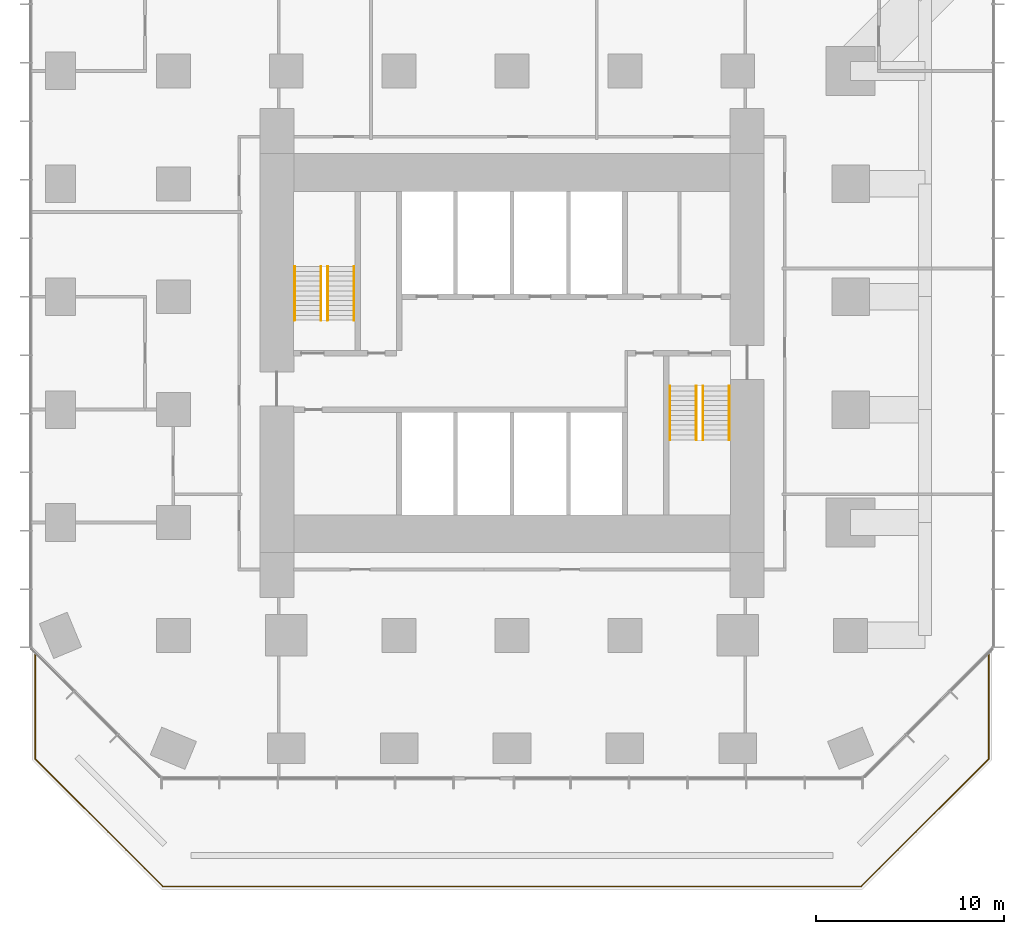
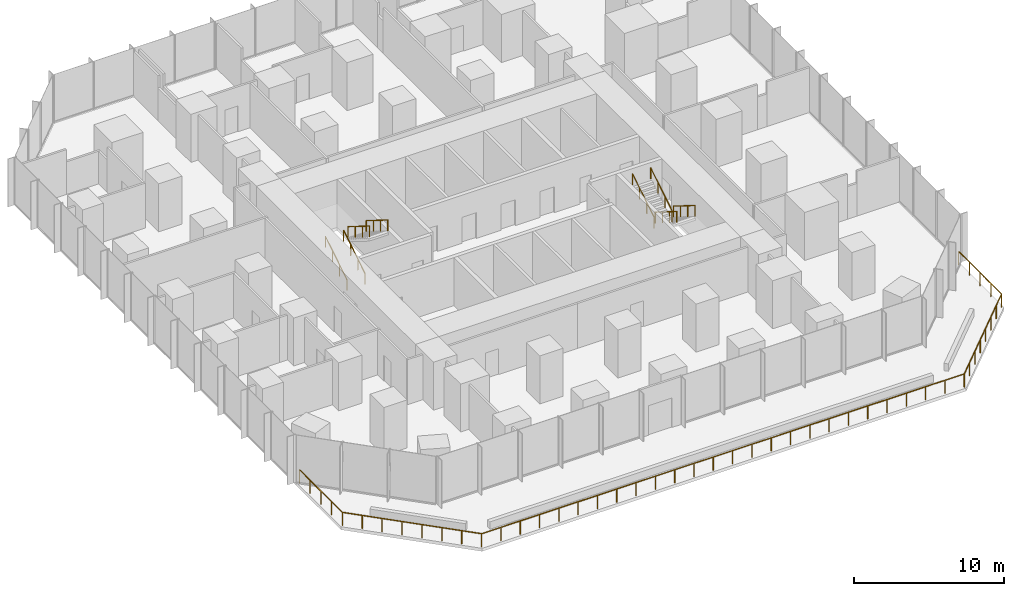
# One storey, part 12 of 12: 9 railings.
"""IFC4 building model written with IfcOpenShell, lengths in metres."""

from ifc_helpers import new_model, si_unit, direction, frame, origin, origin_2d, place, context, subcontext, project, spatial, circle, extrude, material, type_object, element, save


model = new_model("IFC4")

# Units and contexts
model_context = context("Model", 3, precision=1e-05, world=origin(), true_north=direction((0.0, 1.0)))
body_context = subcontext(model_context, "Body", "Model", "MODEL_VIEW")
ifc_project = project(units=[si_unit("LENGTHUNIT", "METRE"), si_unit("AREAUNIT", "SQUARE_METRE"), si_unit("VOLUMEUNIT", "CUBIC_METRE"), si_unit("PLANEANGLEUNIT", "RADIAN"), si_unit("MASSUNIT", "GRAM", prefix="KILO")], contexts=[model_context])

# Site, building, storey
site_placement = place(None, origin())
site = spatial("IfcSite", under=ifc_project, at=site_placement, CompositionType="ELEMENT")
building_placement = place(site_placement, origin())
building = spatial("IfcBuilding", under=site, at=building_placement, Name="Highveld Stack Headquarters", CompositionType="ELEMENT")
storey_placement = place(building_placement, frame((0.0, 0.0, 65.0)))
storey = spatial("IfcBuildingStorey", under=building, at=storey_placement, Name="L15", CompositionType="ELEMENT", Elevation=65.0)

# Railings
ifc_material_1 = material(Name="Stainless steel handrail", Category="steel")
railing_type_1 = type_object("IfcRailingType", Name="STAIR HANDRAIL HR1 900", PredefinedType="HANDRAIL", material=ifc_material_1)
for number, where, name in (
    (1, (-5.550048828125, 4.75, 0.16259765625), "Handrail S1 L15 flight 1"),
    (2, (-4.14990234375, 4.75, 0.16259765625), "Handrail S1 L15 flight 1"),
):
    element("IfcRailing", number, at=place(storey_placement, frame(where)), inside=storey, type_object=railing_type_1, Name=name, PredefinedType="HANDRAIL", context=body_context, shape_type="SweptSolid", body=[
        extrude(circle(Radius=0.02392578125, at=origin_2d()), frame((0.0, 0.0, 0.8759765625), z_axis=(0.0, 0.848026770018, 0.529953391661), x_axis=(-1.0, 0.0, 0.0)), (0.0, 0.0, 1.0), 3.37255859375),
        extrude(circle(Radius=0.02099609375, at=origin_2d()), origin(), (0.0, 0.0, 1.0), 0.851806640625),
        extrude(circle(Radius=0.02099609375, at=origin_2d()), frame((0.0, 0.953369140625, 0.595703125)), (0.0, 0.0, 1.0), 0.851806640625),
        extrude(circle(Radius=0.02099609375, at=origin_2d()), frame((0.0, 1.90673828125, 1.191650390625)), (0.0, 0.0, 1.0), 0.851806640625),
        extrude(circle(Radius=0.02099609375, at=origin_2d()), frame((0.0, 2.860107421875, 1.787353515625)), (0.0, 0.0, 1.0), 0.851806640625),
    ])
for number, where, name in (
    (3, (-3.800048828125, 7.610107421875, 2.112548828125), "Handrail S1 L15 flight 2"),
    (4, (-2.39990234375, 7.610107421875, 2.112548828125), "Handrail S1 L15 flight 2"),
    (5, (16.14990234375, 1.25, 0.16259765625), "Handrail S2 L15 flight 1"),
    (6, (17.550048828125, 1.25, 0.16259765625), "Handrail S2 L15 flight 1"),
):
    element("IfcRailing", number, at=place(storey_placement, frame(where)), inside=storey, type_object=railing_type_1, Name=name, PredefinedType="HANDRAIL", context=body_context, shape_type="SweptSolid", body=[
        extrude(circle(Radius=0.02392578125, at=origin_2d()), frame((0.0, 0.0, 0.8759765625), z_axis=(0.0, -0.848026770018, 0.529953391661), x_axis=(1.0, 0.0, 0.0)), (0.0, 0.0, 1.0), 3.37255859375),
        extrude(circle(Radius=0.02099609375, at=origin_2d()), origin(), (0.0, 0.0, 1.0), 0.851806640625),
        extrude(circle(Radius=0.02099609375, at=origin_2d()), frame((0.0, -0.953369140625, 0.595703125)), (0.0, 0.0, 1.0), 0.851806640625),
        extrude(circle(Radius=0.02099609375, at=origin_2d()), frame((0.0, -1.90673828125, 1.191650390625)), (0.0, 0.0, 1.0), 0.851806640625),
        extrude(circle(Radius=0.02099609375, at=origin_2d()), frame((0.0, -2.860107421875, 1.787353515625)), (0.0, 0.0, 1.0), 0.851806640625),
    ])
for number, where, name in (
    (7, (14.39990234375, -1.610107421875, 2.112548828125), "Handrail S2 L15 flight 2"),
    (8, (15.800048828125, -1.610107421875, 2.112548828125), "Handrail S2 L15 flight 2"),
):
    element("IfcRailing", number, at=place(storey_placement, frame(where)), inside=storey, type_object=railing_type_1, Name=name, PredefinedType="HANDRAIL", context=body_context, shape_type="SweptSolid", body=[
        extrude(circle(Radius=0.02392578125, at=origin_2d()), frame((0.0, 0.0, 0.8759765625), z_axis=(0.0, 0.848026770018, 0.529953391661), x_axis=(-1.0, 0.0, 0.0)), (0.0, 0.0, 1.0), 3.37255859375),
        extrude(circle(Radius=0.02099609375, at=origin_2d()), origin(), (0.0, 0.0, 1.0), 0.851806640625),
        extrude(circle(Radius=0.02099609375, at=origin_2d()), frame((0.0, 0.953369140625, 0.595703125)), (0.0, 0.0, 1.0), 0.851806640625),
        extrude(circle(Radius=0.02099609375, at=origin_2d()), frame((0.0, 1.90673828125, 1.191650390625)), (0.0, 0.0, 1.0), 0.851806640625),
        extrude(circle(Radius=0.02099609375, at=origin_2d()), frame((0.0, 2.860107421875, 1.787353515625)), (0.0, 0.0, 1.0), 0.851806640625),
    ])
ifc_material_2 = material(Name="Laminated glass balustrade with bronze handrail", Category="glass")
railing_type_2 = type_object("IfcRailingType", Name="TERRACE GUARD GR1 1100 GLASS", PredefinedType="GUARDRAIL", material=ifc_material_2)
railing_placement = place(storey_placement, frame((31.35009765625, -12.83349609375, 0.0)))
element("IfcRailing", 9, at=railing_placement, inside=storey, type_object=railing_type_2, Name="Terrace guard L15 1", PredefinedType="GUARDRAIL", context=body_context, shape_type="SweptSolid", body=[
    extrude(circle(Radius=0.02392578125, at=origin_2d()), frame((0.0, 0.0, 1.076171875), z_axis=(0.0, -1.0, 0.0), x_axis=(1.0, 0.0, 0.0)), (0.0, 0.0, 1.0), 5.7255859375),
    extrude(circle(Radius=0.02392578125, at=origin_2d()), frame((0.0, -5.7255859375, 1.076171875), z_axis=(-0.707106781187, -0.707106781187, 0.0), x_axis=(0.707106781187, -0.707106781187, 0.0)), (0.0, 0.0, 1.0), 9.60400390625),
    extrude(circle(Radius=0.02392578125, at=origin_2d()), frame((-6.791015625, -12.5166015625, 1.076171875), z_axis=(-1.0, 0.0, 0.0), x_axis=(0.0, -1.0, 0.0)), (0.0, 0.0, 1.0), 37.1181640625),
    extrude(circle(Radius=0.02392578125, at=origin_2d()), frame((-43.9091796875, -12.5166015625, 1.076171875), z_axis=(-0.707106781187, 0.707106781187, 0.0), x_axis=(-0.707106781187, -0.707106781187, 0.0)), (0.0, 0.0, 1.0), 9.60400390625),
    extrude(circle(Radius=0.02392578125, at=origin_2d()), frame((-50.7001953125, -5.7255859375, 1.076171875), z_axis=(0.0, 1.0, 0.0), x_axis=(-1.0, 0.0, 0.0)), (0.0, 0.0, 1.0), 5.7255859375),
    extrude(circle(Radius=0.02099609375, at=origin_2d()), origin(), (0.0, 0.0, 1.0), 1.052001953125),
    extrude(circle(Radius=0.02099609375, at=origin_2d()), frame((0.0, -1.431396484375, 0.0)), (0.0, 0.0, 1.0), 1.052001953125),
    extrude(circle(Radius=0.02099609375, at=origin_2d()), frame((0.0, -2.86279296875, 0.0)), (0.0, 0.0, 1.0), 1.052001953125),
    extrude(circle(Radius=0.02099609375, at=origin_2d()), frame((0.0, -4.294189453125, 0.0)), (0.0, 0.0, 1.0), 1.052001953125),
    extrude(circle(Radius=0.02099609375, at=origin_2d()), frame((0.0, -5.7255859375, 0.0)), (0.0, 0.0, 1.0), 1.052001953125),
    extrude(circle(Radius=0.02099609375, at=origin_2d()), frame((-0.97021484375, -6.69580078125, 0.0)), (0.0, 0.0, 1.0), 1.052001953125),
    extrude(circle(Radius=0.02099609375, at=origin_2d()), frame((-1.940185546875, -7.665771484375, 0.0)), (0.0, 0.0, 1.0), 1.052001953125),
    extrude(circle(Radius=0.02099609375, at=origin_2d()), frame((-2.910400390625, -8.635986328125, 0.0)), (0.0, 0.0, 1.0), 1.052001953125),
    extrude(circle(Radius=0.02099609375, at=origin_2d()), frame((-3.880615234375, -9.606201171875, 0.0)), (0.0, 0.0, 1.0), 1.052001953125),
    extrude(circle(Radius=0.02099609375, at=origin_2d()), frame((-4.850830078125, -10.576416015625, 0.0)), (0.0, 0.0, 1.0), 1.052001953125),
    extrude(circle(Radius=0.02099609375, at=origin_2d()), frame((-5.82080078125, -11.54638671875, 0.0)), (0.0, 0.0, 1.0), 1.052001953125),
    extrude(circle(Radius=0.02099609375, at=origin_2d()), frame((-6.791015625, -12.5166015625, 0.0)), (0.0, 0.0, 1.0), 1.052001953125),
    extrude(circle(Radius=0.02099609375, at=origin_2d()), frame((-8.275634765625, -12.5166015625, 0.0)), (0.0, 0.0, 1.0), 1.052001953125),
    extrude(circle(Radius=0.02099609375, at=origin_2d()), frame((-9.760498046875, -12.5166015625, 0.0)), (0.0, 0.0, 1.0), 1.052001953125),
    extrude(circle(Radius=0.02099609375, at=origin_2d()), frame((-11.2451171875, -12.5166015625, 0.0)), (0.0, 0.0, 1.0), 1.052001953125),
    extrude(circle(Radius=0.02099609375, at=origin_2d()), frame((-12.72998046875, -12.5166015625, 0.0)), (0.0, 0.0, 1.0), 1.052001953125),
    extrude(circle(Radius=0.02099609375, at=origin_2d()), frame((-14.214599609375, -12.5166015625, 0.0)), (0.0, 0.0, 1.0), 1.052001953125),
    extrude(circle(Radius=0.02099609375, at=origin_2d()), frame((-15.699462890625, -12.5166015625, 0.0)), (0.0, 0.0, 1.0), 1.052001953125),
    extrude(circle(Radius=0.02099609375, at=origin_2d()), frame((-17.18408203125, -12.5166015625, 0.0)), (0.0, 0.0, 1.0), 1.052001953125),
    extrude(circle(Radius=0.02099609375, at=origin_2d()), frame((-18.6689453125, -12.5166015625, 0.0)), (0.0, 0.0, 1.0), 1.052001953125),
    extrude(circle(Radius=0.02099609375, at=origin_2d()), frame((-20.153564453125, -12.5166015625, 0.0)), (0.0, 0.0, 1.0), 1.052001953125),
    extrude(circle(Radius=0.02099609375, at=origin_2d()), frame((-21.63818359375, -12.5166015625, 0.0)), (0.0, 0.0, 1.0), 1.052001953125),
    extrude(circle(Radius=0.02099609375, at=origin_2d()), frame((-23.123046875, -12.5166015625, 0.0)), (0.0, 0.0, 1.0), 1.052001953125),
    extrude(circle(Radius=0.02099609375, at=origin_2d()), frame((-24.607666015625, -12.5166015625, 0.0)), (0.0, 0.0, 1.0), 1.052001953125),
    extrude(circle(Radius=0.02099609375, at=origin_2d()), frame((-26.092529296875, -12.5166015625, 0.0)), (0.0, 0.0, 1.0), 1.052001953125),
    extrude(circle(Radius=0.02099609375, at=origin_2d()), frame((-27.5771484375, -12.5166015625, 0.0)), (0.0, 0.0, 1.0), 1.052001953125),
    extrude(circle(Radius=0.02099609375, at=origin_2d()), frame((-29.06201171875, -12.5166015625, 0.0)), (0.0, 0.0, 1.0), 1.052001953125),
    extrude(circle(Radius=0.02099609375, at=origin_2d()), frame((-30.546630859375, -12.5166015625, 0.0)), (0.0, 0.0, 1.0), 1.052001953125),
    extrude(circle(Radius=0.02099609375, at=origin_2d()), frame((-32.03125, -12.5166015625, 0.0)), (0.0, 0.0, 1.0), 1.052001953125),
    extrude(circle(Radius=0.02099609375, at=origin_2d()), frame((-33.51611328125, -12.5166015625, 0.0)), (0.0, 0.0, 1.0), 1.052001953125),
    extrude(circle(Radius=0.02099609375, at=origin_2d()), frame((-35.000732421875, -12.5166015625, 0.0)), (0.0, 0.0, 1.0), 1.052001953125),
    extrude(circle(Radius=0.02099609375, at=origin_2d()), frame((-36.485595703125, -12.5166015625, 0.0)), (0.0, 0.0, 1.0), 1.052001953125),
    extrude(circle(Radius=0.02099609375, at=origin_2d()), frame((-37.97021484375, -12.5166015625, 0.0)), (0.0, 0.0, 1.0), 1.052001953125),
    extrude(circle(Radius=0.02099609375, at=origin_2d()), frame((-39.455078125, -12.5166015625, 0.0)), (0.0, 0.0, 1.0), 1.052001953125),
    extrude(circle(Radius=0.02099609375, at=origin_2d()), frame((-40.939697265625, -12.5166015625, 0.0)), (0.0, 0.0, 1.0), 1.052001953125),
    extrude(circle(Radius=0.02099609375, at=origin_2d()), frame((-42.424560546875, -12.5166015625, 0.0)), (0.0, 0.0, 1.0), 1.052001953125),
    extrude(circle(Radius=0.02099609375, at=origin_2d()), frame((-43.9091796875, -12.5166015625, 0.0)), (0.0, 0.0, 1.0), 1.052001953125),
    extrude(circle(Radius=0.02099609375, at=origin_2d()), frame((-44.87939453125, -11.54638671875, 0.0)), (0.0, 0.0, 1.0), 1.052001953125),
    extrude(circle(Radius=0.02099609375, at=origin_2d()), frame((-45.849365234375, -10.576416015625, 0.0)), (0.0, 0.0, 1.0), 1.052001953125),
    extrude(circle(Radius=0.02099609375, at=origin_2d()), frame((-46.819580078125, -9.606201171875, 0.0)), (0.0, 0.0, 1.0), 1.052001953125),
    extrude(circle(Radius=0.02099609375, at=origin_2d()), frame((-47.789794921875, -8.635986328125, 0.0)), (0.0, 0.0, 1.0), 1.052001953125),
    extrude(circle(Radius=0.02099609375, at=origin_2d()), frame((-48.760009765625, -7.665771484375, 0.0)), (0.0, 0.0, 1.0), 1.052001953125),
    extrude(circle(Radius=0.02099609375, at=origin_2d()), frame((-49.72998046875, -6.69580078125, 0.0)), (0.0, 0.0, 1.0), 1.052001953125),
    extrude(circle(Radius=0.02099609375, at=origin_2d()), frame((-50.7001953125, -5.7255859375, 0.0)), (0.0, 0.0, 1.0), 1.052001953125),
    extrude(circle(Radius=0.02099609375, at=origin_2d()), frame((-50.7001953125, -4.294189453125, 0.0)), (0.0, 0.0, 1.0), 1.052001953125),
    extrude(circle(Radius=0.02099609375, at=origin_2d()), frame((-50.7001953125, -2.86279296875, 0.0)), (0.0, 0.0, 1.0), 1.052001953125),
    extrude(circle(Radius=0.02099609375, at=origin_2d()), frame((-50.7001953125, -1.431396484375, 0.0)), (0.0, 0.0, 1.0), 1.052001953125),
    extrude(circle(Radius=0.02099609375, at=origin_2d()), frame((-50.7001953125, 0.0, 0.0)), (0.0, 0.0, 1.0), 1.052001953125),
])

save(model, "model.ifc")
